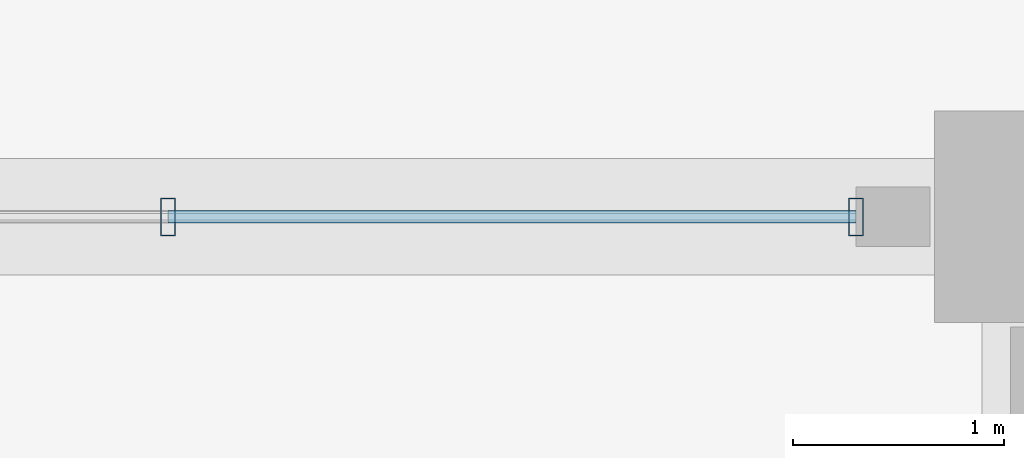
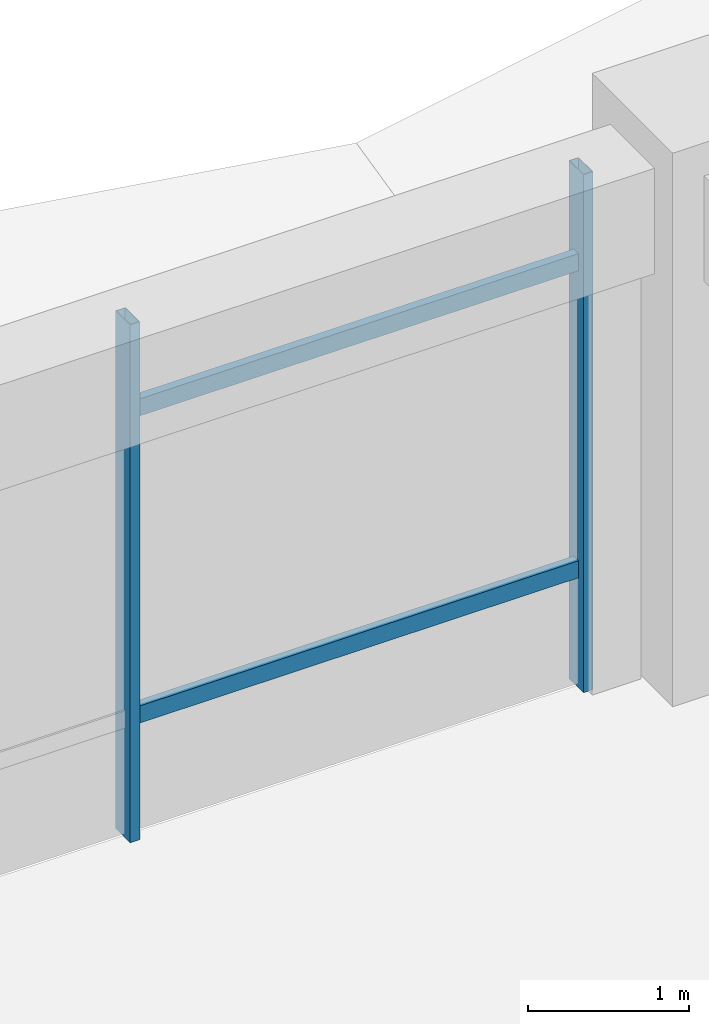
# One storey, part 62 of 98: 4 members, 1 element without a shape of its own.
"""IFC4 building model written with IfcOpenShell, lengths in metres."""

from ifc_helpers import new_model, si_unit, direction, frame, origin, origin_2d, place, context, subcontext, project, spatial, hollow_rectangle, extrude, material, material_profile, profile_set, type_object, element, aggregate, save


model = new_model("IFC4")

# Units and contexts
model_context = context("Model", 3, precision=1e-05, world=origin(), true_north=direction((0.0, 1.0)))
body_context = subcontext(model_context, "Body", "Model", "MODEL_VIEW")
ifc_project = project(units=[si_unit("LENGTHUNIT", "METRE"), si_unit("AREAUNIT", "SQUARE_METRE"), si_unit("VOLUMEUNIT", "CUBIC_METRE"), si_unit("PLANEANGLEUNIT", "RADIAN"), si_unit("MASSUNIT", "GRAM", prefix="KILO")], contexts=[model_context])

# Site, building, storey
site_placement = place(None, origin())
site = spatial("IfcSite", under=ifc_project, at=site_placement, CompositionType="ELEMENT")
building_placement = place(site_placement, origin())
building = spatial("IfcBuilding", under=site, at=building_placement, Name="Ologun Quay Terminus", CompositionType="ELEMENT")
storey_placement = place(building_placement, frame((0.0, 0.0, 4.199951171875)))
storey = spatial("IfcBuildingStorey", under=building, at=storey_placement, Name="L01", CompositionType="ELEMENT", Elevation=4.199951171875)

# Curtain wall, members
ifc_material_1 = material(Name="Aluminium 6063-T6", Category="aluminium")
curtain_wall_type = type_object("IfcCurtainWallType", Name="Waterfront Pavilion Harbour Curtain Wall L01 10500x3850", PredefinedType="USERDEFINED", material=ifc_material_1)
curtain_wall_placement = place(storey_placement, origin())
curtain_wall = element("IfcCurtainWall", 1, at=curtain_wall_placement, inside=storey, type_object=curtain_wall_type, Name="CW-23 Curtain Wall CW-L01-127", ObjectType="UNITISED CURTAIN WALL", PredefinedType="USERDEFINED")
ifc_material_2 = material(Name="Aluminium 6063-T6", Category="aluminium")
ifc_material_profile_1 = material_profile(ifc_material_2, hollow_rectangle(XDim=0.070068359375, YDim=0.179931640625, WallThickness=0.0048828125, at=origin_2d()), Name="ALU 180x70x5")
ifc_profile_set_1 = profile_set([ifc_material_profile_1], Name="Aluminium 6063-T6")
member_type_1 = type_object("IfcMemberType", Name="Curtain Wall Heavy Mullion 180x70", PredefinedType="MULLION", material=ifc_profile_set_1)
member_1_placement = place(storey_placement, frame((145.376708984375, 114.800048828125, 0.0), z_axis=(0.0, 0.0, 1.0), x_axis=(1.0, 0.0, 0.0)))
member_1 = element("IfcMember", 2, at=member_1_placement, type_object=member_type_1, Name="CW-L01-127 Mullion 3", PredefinedType="MULLION", context=body_context, shape_type="SweptSolid", body=[
    extrude(hollow_rectangle(XDim=0.070068359375, YDim=0.179931640625, WallThickness=0.0048828125, at=origin_2d()), origin(), (0.0, 0.0, 1.0), 3.929931640625),
])
member_2_placement = place(storey_placement, frame((148.6298828125, 114.800048828125, 0.0), z_axis=(0.0, 0.0, 1.0), x_axis=(1.0, 0.0, 0.0)))
member_2 = element("IfcMember", 3, at=member_2_placement, type_object=member_type_1, Name="CW-L01-127 Mullion 4", PredefinedType="MULLION", context=body_context, shape_type="SweptSolid", body=[
    extrude(hollow_rectangle(XDim=0.070068359375, YDim=0.179931640625, WallThickness=0.0048828125, at=origin_2d()), origin(), (0.0, 0.0, 1.0), 3.929931640625),
])
ifc_material_3 = material(Name="Aluminium 6063-T6", Category="aluminium")
ifc_material_profile_2 = material_profile(ifc_material_3, hollow_rectangle(XDim=0.06005859375, YDim=0.1298828125, WallThickness=0.00390625, at=origin_2d()), Name="ALU 130x60x4")
ifc_profile_set_2 = profile_set([ifc_material_profile_2], Name="Aluminium 6063-T6")
member_type_2 = type_object("IfcMemberType", Name="Curtain Wall Heavy Transom 130x60", PredefinedType="USERDEFINED", material=ifc_profile_set_2)
member_3_placement = place(storey_placement, frame((145.376708984375, 114.800048828125, 0.900146484375), z_axis=(1.0, 0.0, 0.0), x_axis=(0.0, 1.0, 0.0)))
member_3 = element("IfcMember", 4, at=member_3_placement, type_object=member_type_2, Name="CW-L01-127 Transom B3-1", ObjectType="TRANSOM", PredefinedType="USERDEFINED", context=body_context, shape_type="SweptSolid", body=[
    extrude(hollow_rectangle(XDim=0.06005859375, YDim=0.1298828125, WallThickness=0.00390625, at=origin_2d()), origin(), (0.0, 0.0, 1.0), 3.253173828125),
])
member_4_placement = place(storey_placement, frame((145.376708984375, 114.800048828125, 3.22998046875), z_axis=(1.0, 0.0, 0.0), x_axis=(0.0, 1.0, 0.0)))
member_4 = element("IfcMember", 5, at=member_4_placement, type_object=member_type_2, Name="CW-L01-127 Transom B3-2", ObjectType="TRANSOM", PredefinedType="USERDEFINED", context=body_context, shape_type="SweptSolid", body=[
    extrude(hollow_rectangle(XDim=0.06005859375, YDim=0.1298828125, WallThickness=0.00390625, at=origin_2d()), origin(), (0.0, 0.0, 1.0), 3.253173828125),
])
aggregate(curtain_wall, [member_1, member_2, member_3, member_4])

save(model, "model.ifc")
